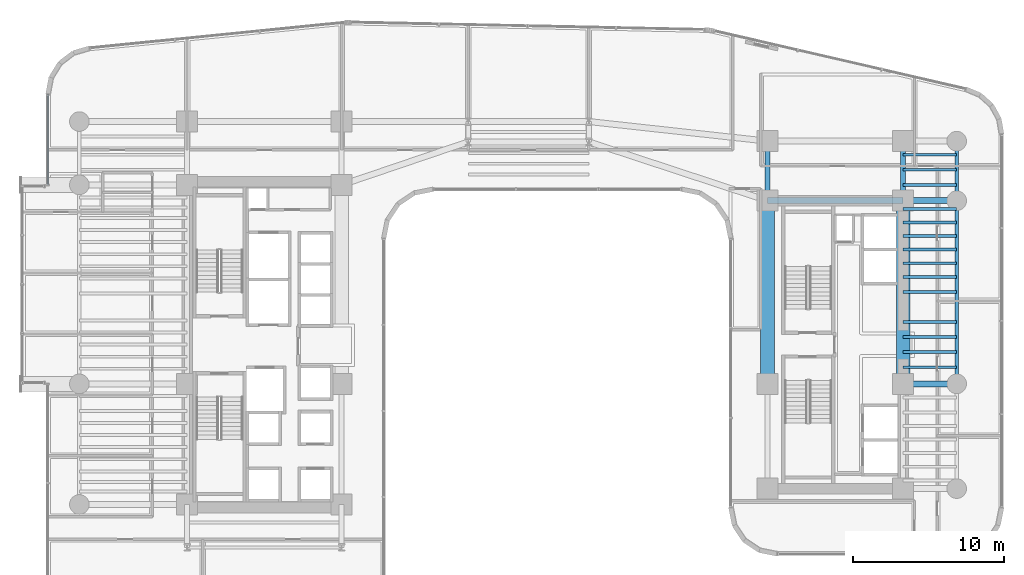
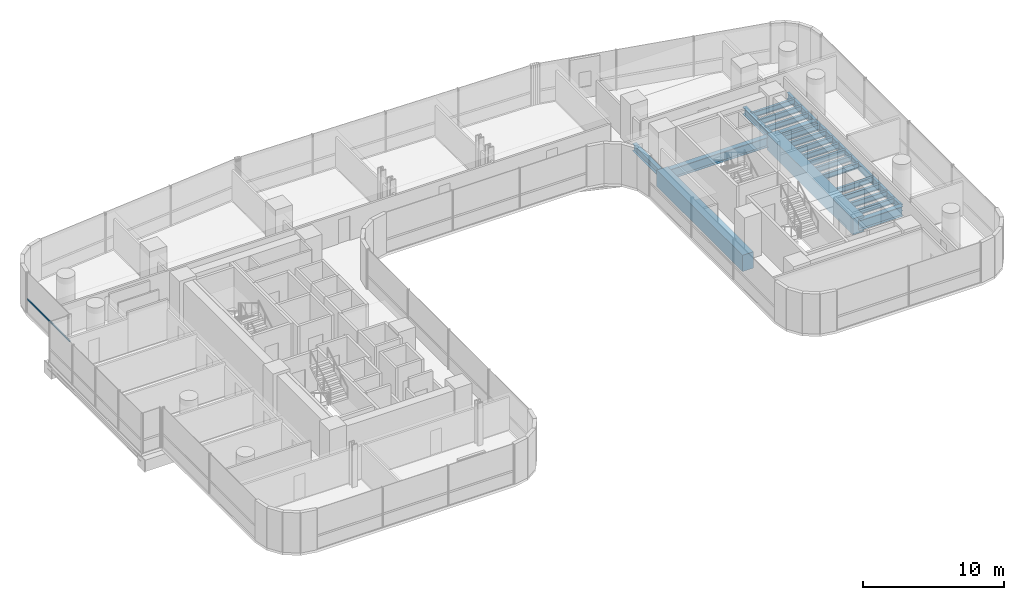
# One storey, part 16 of 38: 23 beams, 1 member, 1 element without a shape of its own.
"""IFC4 building model written with IfcOpenShell, lengths in metres."""

from ifc_helpers import new_model, si_unit, direction, frame, origin, origin_2d, place, context, subcontext, project, spatial, rectangle, hollow_rectangle, i_section, extrude, source, transform, mapped, material, material_profile, profile_set, type_object, element, aggregate, save


model = new_model("IFC4")

# Units and contexts
model_context = context("Model", 3, precision=1e-05, world=origin(), true_north=direction((0.0, 1.0)))
body_context = subcontext(model_context, "Body", "Model", "MODEL_VIEW")
ifc_project = project(units=[si_unit("LENGTHUNIT", "METRE"), si_unit("AREAUNIT", "SQUARE_METRE"), si_unit("VOLUMEUNIT", "CUBIC_METRE"), si_unit("PLANEANGLEUNIT", "RADIAN"), si_unit("MASSUNIT", "GRAM", prefix="KILO")], contexts=[model_context])

# Site, building, storey
site_placement = place(None, origin())
site = spatial("IfcSite", under=ifc_project, at=site_placement, CompositionType="ELEMENT")
building_placement = place(site_placement, origin())
building = spatial("IfcBuilding", under=site, at=building_placement, Name="Valdorenza Pilgrim Sanctuary Tower", CompositionType="ELEMENT")
storey_placement = place(building_placement, frame((0.0, 0.0, 37.10009765625)))
storey = spatial("IfcBuildingStorey", under=building, at=storey_placement, Name="L08", CompositionType="ELEMENT", Elevation=37.10009765625)

# Beams
ifc_material_1 = material(Name="Concrete C60/75", Category="concrete")
ifc_material_profile_1 = material_profile(ifc_material_1, rectangle(XDim=0.89990234375, YDim=1.39990234375, at=origin_2d()), Name="RC 1400x900")
ifc_profile_set_1 = profile_set([ifc_material_profile_1], Name="Concrete C60/75")
beam_type_1 = type_object("IfcBeamType", Name="STR-BM-LNT-1400", PredefinedType="LINTEL", material=ifc_profile_set_1)
shared_shape_1 = source(origin(), body_context, "Body", "SweptSolid", [
    extrude(rectangle(XDim=0.89990234375, YDim=1.39990234375, at=origin_2d()), origin(), (0.0, 0.0, 1.0), 12.150146484375),
])
for number, where, z_axis, x_axis, name in (
    (1, (15.85009765625, -2.60009765625, -0.739990234375), (0.0, 1.0, 0.0), (-1.0, 0.0, 0.0), "L08 Core B West Coupling Lintel Girder"),
    (2, (24.85009765625, -2.60009765625, -0.739990234375), (0.0, 1.0, 0.0), (-1.0, 0.0, 0.0), "L08 Core B East Coupling Lintel Girder"),
):
    element("IfcBeam", number, at=place(storey_placement, frame(where, z_axis=z_axis, x_axis=x_axis)), inside=storey, type_object=beam_type_1, Name=name, PredefinedType="LINTEL", context=body_context, shape_type="MappedRepresentation", body=[
        mapped(shared_shape_1, transform((0.0, 0.0, 0.0), x_axis=(1.0, 0.0, 0.0), y_axis=(0.0, 1.0, 0.0), z_axis=(0.0, 0.0, 1.0), scale=1.0)),
    ])
ifc_material_2 = material(Name="Steel ASTM A992 Grade 50", Category="steel")
ifc_material_profile_2 = material_profile(ifc_material_2, i_section(OverallWidth=0.214111328125, OverallDepth=0.549072265625, WebThickness=0.0146484375, FlangeThickness=0.023681640625, at=origin_2d()), Name="W21X93")
ifc_profile_set_2 = profile_set([ifc_material_profile_2], Name="Steel ASTM A992 Grade 50")
beam_type_2 = type_object("IfcBeamType", Name="STR-BM-SPN-W21A", PredefinedType="SPANDREL", material=ifc_profile_set_2)
shared_shape_2 = source(origin(), body_context, "Body", "SweptSolid", [
    extrude(i_section(OverallWidth=0.214111328125, OverallDepth=0.549072265625, WebThickness=0.0146484375, FlangeThickness=0.023681640625, at=origin_2d()), origin(), (0.0, 0.0, 1.0), 12.150146484375),
])
beam_1_placement = place(storey_placement, frame((28.39990234375, -2.60009765625, -0.5146484375), z_axis=(0.0, 1.0, 0.0), x_axis=(-1.0, 0.0, 0.0)))
element("IfcBeam", 3, at=beam_1_placement, inside=storey, type_object=beam_type_2, Name="L08 Spandrel Beam WB-E-M0N1", PredefinedType="SPANDREL", context=body_context, shape_type="MappedRepresentation", body=[
    mapped(shared_shape_2, transform((0.0, 0.0, 0.0), x_axis=(1.0, 0.0, 0.0), y_axis=(0.0, 1.0, 0.0), z_axis=(0.0, 0.0, 1.0), scale=1.0)),
])
ifc_material_profile_3 = material_profile(ifc_material_2, i_section(OverallWidth=0.323974609375, OverallDepth=0.611083984375, WebThickness=0.0126953125, FlangeThickness=0.01904296875, at=origin_2d()), Name="W24X104")
ifc_profile_set_3 = profile_set([ifc_material_profile_3], Name="Steel ASTM A992 Grade 50")
beam_type_3 = type_object("IfcBeamType", Name="STR-BM-GRD-W24B", PredefinedType="BEAM", material=ifc_profile_set_3)
shared_shape_3 = source(origin(), body_context, "Body", "SweptSolid", [
    extrude(i_section(OverallWidth=0.323974609375, OverallDepth=0.611083984375, WebThickness=0.0126953125, FlangeThickness=0.01904296875, at=origin_2d()), origin(), (0.0, 0.0, 1.0), 3.949951171875),
])
for number, where, z_axis, x_axis, name in (
    (4, (15.85009765625, 9.550048828125, -0.545654296875), (0.0, 1.0, 0.0), (-1.0, 0.0, 0.0), "L08 Core Tie Girder CB-W-N1N2"),
    (5, (24.85009765625, 9.550048828125, -0.545654296875), (0.0, 1.0, 0.0), (-1.0, 0.0, 0.0), "L08 Core Tie Girder CB-E-N1N2"),
):
    element("IfcBeam", number, at=place(storey_placement, frame(where, z_axis=z_axis, x_axis=x_axis)), inside=storey, type_object=beam_type_3, Name=name, PredefinedType="BEAM", context=body_context, shape_type="MappedRepresentation", body=[
        mapped(shared_shape_3, transform((0.0, 0.0, 0.0), x_axis=(1.0, 0.0, 0.0), y_axis=(0.0, 1.0, 0.0), z_axis=(0.0, 0.0, 1.0), scale=1.0)),
    ])
shared_shape_4 = source(origin(), body_context, "Body", "SweptSolid", [
    extrude(i_section(OverallWidth=0.214111328125, OverallDepth=0.549072265625, WebThickness=0.0146484375, FlangeThickness=0.023681640625, at=origin_2d()), origin(), (0.0, 0.0, 1.0), 3.949951171875),
])
beam_2_placement = place(storey_placement, frame((28.39990234375, 9.550048828125, -0.5146484375), z_axis=(0.0, 1.0, 0.0), x_axis=(-1.0, 0.0, 0.0)))
element("IfcBeam", 6, at=beam_2_placement, inside=storey, type_object=beam_type_2, Name="L08 Spandrel Beam WB-E-N1N2", PredefinedType="SPANDREL", context=body_context, shape_type="MappedRepresentation", body=[
    mapped(shared_shape_4, transform((0.0, 0.0, 0.0), x_axis=(1.0, 0.0, 0.0), y_axis=(0.0, 1.0, 0.0), z_axis=(0.0, 0.0, 1.0), scale=1.0)),
])
ifc_material_profile_4 = material_profile(ifc_material_2, i_section(OverallWidth=0.193115234375, OverallDepth=0.466064453125, WebThickness=0.011474609375, FlangeThickness=0.01904296875, at=origin_2d()), Name="W18X65")
ifc_profile_set_4 = profile_set([ifc_material_profile_4], Name="Steel ASTM A992 Grade 50")
beam_type_4 = type_object("IfcBeamType", Name="STR-BM-JST-W18A", PredefinedType="JOIST", material=ifc_profile_set_4)
shared_shape_5 = source(origin(), body_context, "Body", "SweptSolid", [
    extrude(i_section(OverallWidth=0.193115234375, OverallDepth=0.466064453125, WebThickness=0.011474609375, FlangeThickness=0.01904296875, at=origin_2d()), origin(), (0.0, 0.0, 1.0), 3.5498046875),
])
for number, where, z_axis, x_axis, name in (
    (7, (24.85009765625, -1.5, -0.47314453125), (1.0, 0.0, 0.0), (0.0, 1.0, 0.0), "L08 Composite Floor Joist JST-WB-8"),
    (8, (24.85009765625, -0.5, -0.47314453125), (1.0, 0.0, 0.0), (0.0, 1.0, 0.0), "L08 Composite Floor Joist JST-WB-9"),
    (9, (24.85009765625, 0.5, -0.47314453125), (1.0, 0.0, 0.0), (0.0, 1.0, 0.0), "L08 Composite Floor Joist JST-WB-10"),
    (10, (24.85009765625, 1.5, -0.47314453125), (1.0, 0.0, 0.0), (0.0, 1.0, 0.0), "L08 Composite Floor Joist JST-WB-11"),
    (11, (24.85009765625, 3.5, -0.47314453125), (1.0, 0.0, 0.0), (0.0, 1.0, 0.0), "L08 Composite Floor Joist JST-WB-12"),
    (12, (24.85009765625, 4.5, -0.47314453125), (1.0, 0.0, 0.0), (0.0, 1.0, 0.0), "L08 Composite Floor Joist JST-WB-13"),
    (13, (24.85009765625, 5.39990234375, -0.47314453125), (1.0, 0.0, 0.0), (0.0, 1.0, 0.0), "L08 Composite Floor Joist JST-WB-14"),
    (14, (24.85009765625, 6.300048828125, -0.47314453125), (1.0, 0.0, 0.0), (0.0, 1.0, 0.0), "L08 Composite Floor Joist JST-WB-15"),
    (15, (24.85009765625, 7.199951171875, -0.47314453125), (1.0, 0.0, 0.0), (0.0, 1.0, 0.0), "L08 Composite Floor Joist JST-WB-16"),
    (16, (24.85009765625, 8.10009765625, -0.47314453125), (1.0, 0.0, 0.0), (0.0, 1.0, 0.0), "L08 Composite Floor Joist JST-WB-17"),
    (17, (24.85009765625, 9.0, -0.47314453125), (1.0, 0.0, 0.0), (0.0, 1.0, 0.0), "L08 Composite Floor Joist JST-WB-18"),
    (18, (24.85009765625, 10.60009765625, -0.47314453125), (1.0, 0.0, 0.0), (0.0, 1.0, 0.0), "L08 Composite Floor Joist JST-WB-19"),
    (19, (24.85009765625, 11.60009765625, -0.47314453125), (1.0, 0.0, 0.0), (0.0, 1.0, 0.0), "L08 Composite Floor Joist JST-WB-20"),
    (20, (24.85009765625, 12.60009765625, -0.47314453125), (1.0, 0.0, 0.0), (0.0, 1.0, 0.0), "L08 Composite Floor Joist JST-WB-21"),
):
    element("IfcBeam", number, at=place(storey_placement, frame(where, z_axis=z_axis, x_axis=x_axis)), inside=storey, type_object=beam_type_4, Name=name, PredefinedType="JOIST", context=body_context, shape_type="MappedRepresentation", body=[
        mapped(shared_shape_5, transform((0.0, 0.0, 0.0), x_axis=(1.0, 0.0, 0.0), y_axis=(0.0, 1.0, 0.0), z_axis=(0.0, 0.0, 1.0), scale=1.0)),
    ])
ifc_material_profile_5 = material_profile(ifc_material_2, i_section(OverallWidth=0.39990234375, OverallDepth=0.862060546875, WebThickness=0.019775390625, FlangeThickness=0.032470703125, at=origin_2d()), Name="W33X221")
ifc_profile_set_5 = profile_set([ifc_material_profile_5], Name="Steel ASTM A992 Grade 50")
beam_type_5 = type_object("IfcBeamType", Name="STR-BM-GRD-W33", PredefinedType="BEAM", material=ifc_profile_set_5)
shared_shape_6 = source(origin(), body_context, "Body", "SweptSolid", [
    extrude(i_section(OverallWidth=0.39990234375, OverallDepth=0.862060546875, WebThickness=0.019775390625, FlangeThickness=0.032470703125, at=origin_2d()), origin(), (0.0, 0.0, 1.0), 9.0),
])
beam_3_placement = place(storey_placement, frame((15.85009765625, 9.550048828125, -0.671142578125), z_axis=(1.0, 0.0, 0.0), x_axis=(0.0, 1.0, 0.0)))
element("IfcBeam", 21, at=beam_3_placement, inside=storey, type_object=beam_type_5, Name="L08 Floor Girder CB-XC-N1", PredefinedType="BEAM", context=body_context, shape_type="MappedRepresentation", body=[
    mapped(shared_shape_6, transform((0.0, 0.0, 0.0), x_axis=(1.0, 0.0, 0.0), y_axis=(0.0, 1.0, 0.0), z_axis=(0.0, 0.0, 1.0), scale=1.0)),
])
shared_shape_7 = source(origin(), body_context, "Body", "SweptSolid", [
    extrude(i_section(OverallWidth=0.39990234375, OverallDepth=0.862060546875, WebThickness=0.019775390625, FlangeThickness=0.032470703125, at=origin_2d()), origin(), (0.0, 0.0, 1.0), 3.5498046875),
])
for number, where, z_axis, x_axis, name in (
    (22, (24.85009765625, -2.60009765625, -0.671142578125), (1.0, 0.0, 0.0), (0.0, 1.0, 0.0), "L08 Floor Girder WB-XE-M0"),
    (23, (24.85009765625, 9.550048828125, -0.671142578125), (1.0, 0.0, 0.0), (0.0, 1.0, 0.0), "L08 Floor Girder WB-XE-N1"),
):
    element("IfcBeam", number, at=place(storey_placement, frame(where, z_axis=z_axis, x_axis=x_axis)), inside=storey, type_object=beam_type_5, Name=name, PredefinedType="BEAM", context=body_context, shape_type="MappedRepresentation", body=[
        mapped(shared_shape_7, transform((0.0, 0.0, 0.0), x_axis=(1.0, 0.0, 0.0), y_axis=(0.0, 1.0, 0.0), z_axis=(0.0, 0.0, 1.0), scale=1.0)),
    ])

# Curtain wall, member
ifc_material_3 = material(Name="Curtain-wall IGU glazing", Category="glass")
curtain_wall_type = type_object("IfcCurtainWallType", Name="CW-SYS-02", PredefinedType="NOTDEFINED", material=ifc_material_3)
curtain_wall_placement = place(storey_placement, origin())
curtain_wall = element("IfcCurtainWall", 24, at=curtain_wall_placement, inside=storey, type_object=curtain_wall_type, Name="L08 Curtain Wall CW-L08-1-1S2", PredefinedType="NOTDEFINED")
ifc_material_4 = material(Name="Anodised aluminium AW-6060", Category="aluminium")
ifc_material_profile_6 = material_profile(ifc_material_4, hollow_rectangle(XDim=0.074951171875, YDim=0.14990234375, WallThickness=0.00390625, at=origin_2d()), Name="ALU-T 150x75x4")
ifc_profile_set_6 = profile_set([ifc_material_profile_6], Name="Anodised aluminium AW-6060")
member_type = type_object("IfcMemberType", Name="CW-TRN-02", PredefinedType="USERDEFINED", material=ifc_profile_set_6)
shared_shape_8 = source(origin(), body_context, "Body", "SweptSolid", [
    extrude(hollow_rectangle(XDim=0.074951171875, YDim=0.14990234375, WallThickness=0.00390625, at=origin_2d()), origin(), (0.0, 0.0, 1.0), 5.993896484375),
])
member_placement = place(storey_placement, frame((-31.889892578125, 10.60009765625, 1.119873046875), z_axis=(0.0, 1.0, 0.0), x_axis=(-1.0, 0.0, 0.0)))
member = element("IfcMember", 25, at=member_placement, type_object=member_type, Name="CW-L08-1-1S2 Transom 1", ObjectType="TRANSOM", PredefinedType="USERDEFINED", context=body_context, shape_type="MappedRepresentation", body=[
    mapped(shared_shape_8, transform((0.0, 0.0, 0.0), x_axis=(1.0, 0.0, 0.0), y_axis=(0.0, 1.0, 0.0), z_axis=(0.0, 0.0, 1.0), scale=1.0)),
])
aggregate(curtain_wall, [member])

save(model, "model.ifc")
